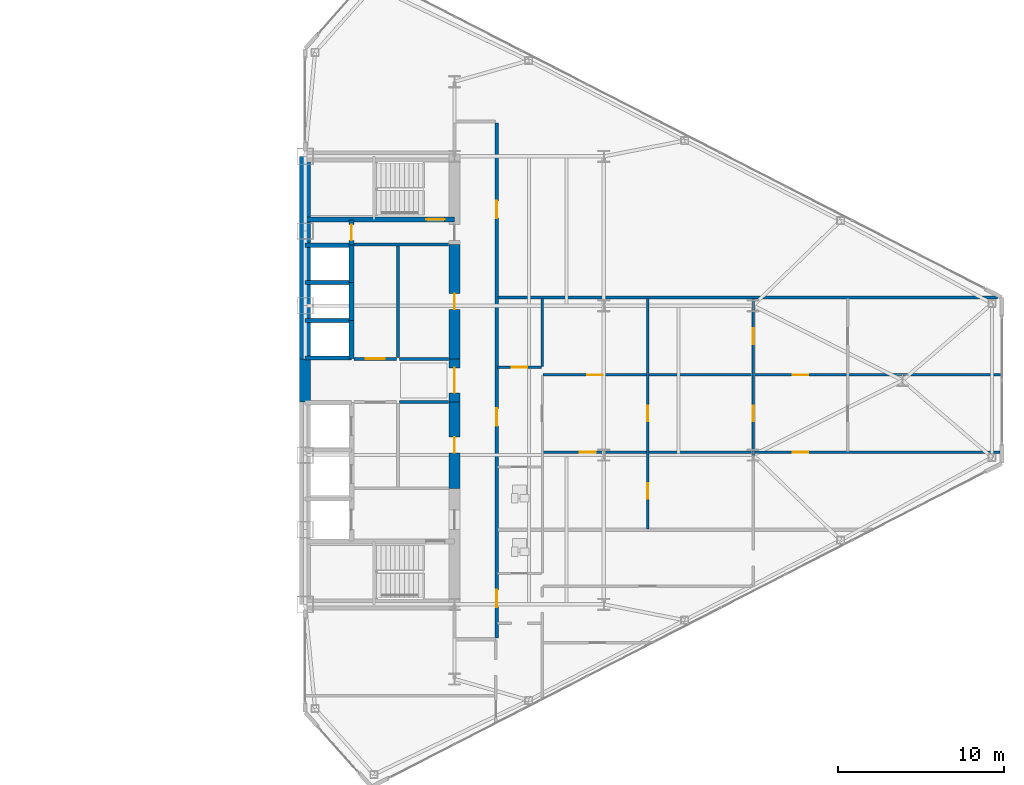
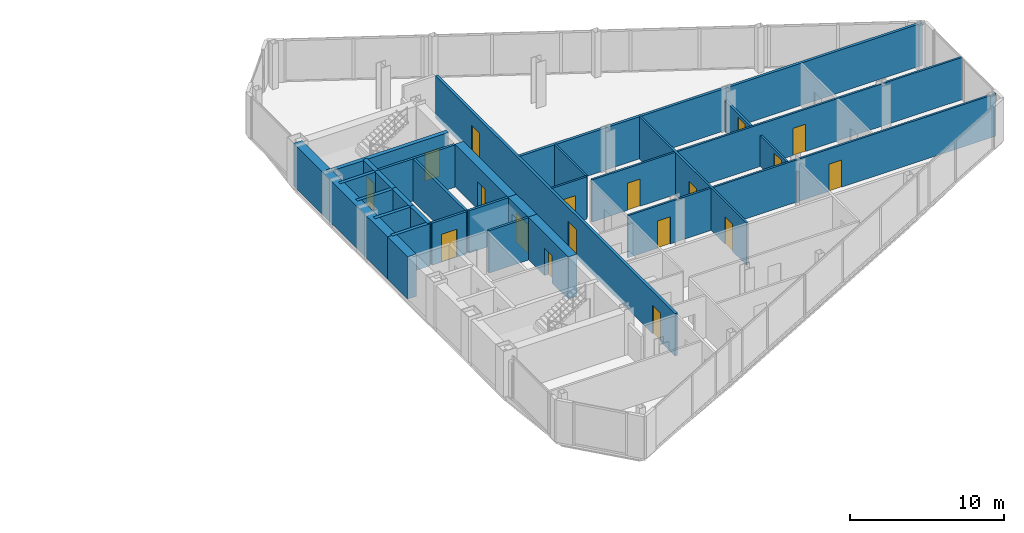
# One storey, part 19 of 23: 27 walls, 18 doors, 18 openings.
"""IFC4 building model written with IfcOpenShell, lengths in metres."""

import ifcopenshell
import ifcopenshell.guid

model = None  # the IFC model being written
_history = None  # IfcOwnerHistory: only IFC2X3 demands one
_inside = {}  # id of a spatial element -> (the spatial element, [elements in it])
_under = {}  # id of a project, library or spatial element -> (it, [spatial elements below it])
_declared = {}  # id of a project -> (the project, [libraries it declares])
_typed = {}  # id of a type object -> (the type object, [elements of that type])
_made_of = {}  # id of a material, layer set ... -> (it, [elements and type objects made of it])


def new_model(schema):
    """Start an empty IFC model of exactly this schema.

    Asked for "IFC4X3", IfcOpenShell would pick the latest addendum, in which some entities
    have other attributes; the version numbers below select the first issue.
    IFC2X3 requires an IfcOwnerHistory on every rooted entity: one is made here for all.
    """
    global model, _history
    if schema == "IFC4X3":
        model = ifcopenshell.file(schema_version=(4, 3, 0, 0))
    else:
        model = ifcopenshell.file(schema=schema)
    _inside.clear()
    _under.clear()
    _declared.clear()
    _typed.clear()
    _made_of.clear()
    _history = None
    if model.schema == "IFC2X3":
        org = make("IfcOrganization", Name="unknown")
        user = make(
            "IfcPersonAndOrganization",
            ThePerson=make("IfcPerson", FamilyName="unknown"),
            TheOrganization=org,
        )
        app = make(
            "IfcApplication",
            ApplicationDeveloper=org,
            Version="unknown",
            ApplicationFullName="unknown",
            ApplicationIdentifier="unknown",
        )
        _history = make(
            "IfcOwnerHistory",
            OwningUser=user,
            OwningApplication=app,
            ChangeAction="ADDED",
            CreationDate=0,
        )
    return model


def make(cls, **values):
    """One entity of the class cls with the attributes given. An attribute that is None is left unset."""
    return model.create_entity(
        cls, **{name: value for name, value in values.items() if value is not None}
    )


def rooted(cls, **values):
    """An entity with a GlobalId (a new one), such as an element, a storey or a relation."""
    return make(cls, GlobalId=ifcopenshell.guid.new(), OwnerHistory=_history, **values)


def si_unit(unit_type, name, prefix=None):
    """IfcSIUnit, for example si_unit("LENGTHUNIT", "METRE", prefix="MILLI")."""
    return make("IfcSIUnit", UnitType=unit_type, Prefix=prefix, Name=name)


def assignment(units):
    """IfcUnitAssignment: the units of a project."""
    return None if units is None else make("IfcUnitAssignment", Units=units)


def point(xyz):
    """IfcCartesianPoint."""
    return None if xyz is None else make("IfcCartesianPoint", Coordinates=xyz)


def direction(xyz):
    """IfcDirection."""
    return None if xyz is None else make("IfcDirection", DirectionRatios=xyz)


def frame(location, z_axis=None, x_axis=None):
    """IfcAxis2Placement3D, a coordinate frame: its origin and axes. An axis left out is left unset."""
    return make(
        "IfcAxis2Placement3D",
        Location=point(location),
        Axis=direction(z_axis),
        RefDirection=direction(x_axis),
    )


def frame_2d(location, x_axis=None):
    """IfcAxis2Placement2D, a coordinate frame in the plane: its origin and x axis."""
    return make(
        "IfcAxis2Placement2D", Location=point(location), RefDirection=direction(x_axis)
    )


def origin():
    """The frame at (0, 0, 0) with its axes left unset."""
    return frame((0.0, 0.0, 0.0))


def place(relative_to, where):
    """IfcLocalPlacement: puts the frame where relative to a parent placement (None: the world)."""
    return make(
        "IfcLocalPlacement", PlacementRelTo=relative_to, RelativePlacement=where
    )


def context(
    kind, dimensions, precision=None, world=None, true_north=None, identifier=None
):
    """IfcGeometricRepresentationContext, for example the 3D "Model" context."""
    return make(
        "IfcGeometricRepresentationContext",
        ContextIdentifier=identifier,
        ContextType=kind,
        CoordinateSpaceDimension=dimensions,
        Precision=precision,
        WorldCoordinateSystem=world,
        TrueNorth=true_north,
    )


def subcontext(parent, identifier, kind, view, scale=None):
    """IfcGeometricRepresentationSubContext, for example "Body" below "Model"."""
    return make(
        "IfcGeometricRepresentationSubContext",
        ContextIdentifier=identifier,
        ContextType=kind,
        ParentContext=parent,
        TargetScale=scale,
        TargetView=view,
    )


def project(units=None, contexts=None):
    """IfcProject with its units and contexts."""
    return rooted(
        "IfcProject",
        Name="project",
        RepresentationContexts=contexts,
        UnitsInContext=assignment(units),
    )


def spatial(cls, under=None, at=None, **own):
    """A site, building, storey or space (cls), placed at a placement, below another one or the project."""
    s = rooted(cls, ObjectPlacement=at, **own)
    if under is not None:
        _under.setdefault(under.id(), (under, []))[1].append(s)
    return s


def profile(cls, at=None, kind="AREA", **sizes):
    """A parametric profile (cls). Its sizes go by their IFC names, for example OverallWidth=200.0."""
    return make(cls, ProfileType=kind, Position=at, **sizes)


def rectangle(**sizes):
    """IfcRectangleProfileDef."""
    return profile("IfcRectangleProfileDef", **sizes)


def extrude(swept, where, along, depth):
    """IfcExtrudedAreaSolid: the profile swept, set in the frame where, extruded along a direction by depth."""
    return make(
        "IfcExtrudedAreaSolid",
        SweptArea=swept,
        Position=where,
        ExtrudedDirection=direction(along),
        Depth=depth,
    )


def shape(context_of_items, identifier, shape_type, items):
    """IfcShapeRepresentation: the items that make up one representation, for example the "Body"."""
    return make(
        "IfcShapeRepresentation",
        ContextOfItems=context_of_items,
        RepresentationIdentifier=identifier,
        RepresentationType=shape_type,
        Items=items,
    )


def source(mapping_origin, context_of_items, identifier, shape_type, items):
    """IfcRepresentationMap: a shape defined once, which mapped items show again and again."""
    return make(
        "IfcRepresentationMap",
        MappingOrigin=mapping_origin,
        MappedRepresentation=shape(context_of_items, identifier, shape_type, items),
    )


def transform(
    local_origin,
    x_axis=None,
    y_axis=None,
    z_axis=None,
    scale=None,
    scale2=None,
    scale3=None,
    uniform=True,
):
    """IfcCartesianTransformationOperator3D, or its non-uniform kind. x_axis, y_axis, z_axis: its Axis1, 2, 3."""
    if uniform:
        return make(
            "IfcCartesianTransformationOperator3D",
            Axis1=direction(x_axis),
            Axis2=direction(y_axis),
            LocalOrigin=point(local_origin),
            Scale=scale,
            Axis3=direction(z_axis),
        )
    return make(
        "IfcCartesianTransformationOperator3DnonUniform",
        Axis1=direction(x_axis),
        Axis2=direction(y_axis),
        LocalOrigin=point(local_origin),
        Scale=scale,
        Axis3=direction(z_axis),
        Scale2=scale2,
        Scale3=scale3,
    )


def mapped(mapping_source, mapping_target):
    """IfcMappedItem: shows the shape of a source again, moved by a transform."""
    return make(
        "IfcMappedItem", MappingSource=mapping_source, MappingTarget=mapping_target
    )


def material(Name=None, Category=None):
    """IfcMaterial."""
    return make("IfcMaterial", Name=Name, Category=Category)


def layer(
    of_material, thickness, ventilated=None, Name=None, Category=None, Priority=None
):
    """IfcMaterialLayer: one layer of a wall or slab, of a material (None: an air gap)."""
    return make(
        "IfcMaterialLayer",
        Material=of_material,
        LayerThickness=thickness,
        IsVentilated=ventilated,
        Name=Name,
        Category=Category,
        Priority=Priority,
    )


def layer_set(layers, Name=None):
    """IfcMaterialLayerSet."""
    return make("IfcMaterialLayerSet", MaterialLayers=layers, LayerSetName=Name)


def made_of(thing, what):
    """Note that an element or type object is made of a material, layer set ...; save() writes the relation."""
    if what is not None:
        _made_of.setdefault(what.id(), (what, []))[1].append(thing)
    return thing


def type_object(cls, material=None, **own):
    """A type object (cls), such as IfcWallType, which elements share."""
    return made_of(rooted(cls, **own), material)


def type_shapes(of_type, sources):
    """Give a type object the sources (RepresentationMaps) that its elements show as mapped items."""
    of_type.RepresentationMaps = sources


def element(
    cls,
    number,
    at=None,
    inside=None,
    cuts=None,
    type_object=None,
    material=None,
    context=None,
    identifier="Body",
    shape_type=None,
    held_by="IfcProductDefinitionShape",
    body=None,
    shapes=None,
    **own,
):
    """One element of the class cls, such as IfcWall. Its Tag is "e" and its number.

    at: its placement. inside: the storey or other place that contains it. cuts: it is an
    opening in that element (IfcRelVoidsElement). A single representation is given by context,
    identifier, shape_type and body (its items); several are given by shapes. held_by: the class
    of the entity that holds the representations. save() writes the other relations.
    """
    e = rooted(cls, Tag="e%d" % number, ObjectPlacement=at, **own)
    if body is not None:
        shapes = [shape(context, identifier, shape_type, body)]
    if shapes is not None:
        e.Representation = make(held_by, Representations=shapes)
    if inside is not None:
        _inside.setdefault(inside.id(), (inside, []))[1].append(e)
    if cuts is not None:
        rooted(
            "IfcRelVoidsElement", RelatingBuildingElement=cuts, RelatedOpeningElement=e
        )
    if type_object is not None:
        _typed.setdefault(type_object.id(), (type_object, []))[1].append(e)
    return made_of(e, material)


def fill(opening, filler):
    """IfcRelFillsElement: the door or window that sits in an opening."""
    return rooted(
        "IfcRelFillsElement",
        RelatingOpeningElement=opening,
        RelatedBuildingElement=filler,
    )


def aggregate(whole, parts):
    """IfcRelAggregates: a whole, such as a stair, and the parts it consists of."""
    return rooted("IfcRelAggregates", RelatingObject=whole, RelatedObjects=parts)


def save(model, path):
    """Write the relations noted so far, then the file.

    IfcRelAggregates (storeys below a building ...), IfcRelContainedInSpatialStructure (elements
    in a storey), IfcRelDefinesByType, IfcRelAssociatesMaterial and IfcRelDeclares: one each for
    every whole, place, type object, material and project.
    """
    for whole, parts in _under.values():
        aggregate(whole, parts)
    for where, things in _inside.values():
        rooted(
            "IfcRelContainedInSpatialStructure",
            RelatedElements=things,
            RelatingStructure=where,
        )
    for kind, things in _typed.values():
        rooted("IfcRelDefinesByType", RelatedObjects=things, RelatingType=kind)
    for what, things in _made_of.values():
        rooted("IfcRelAssociatesMaterial", RelatedObjects=things, RelatingMaterial=what)
    for by, libraries in _declared.values():
        rooted("IfcRelDeclares", RelatingContext=by, RelatedDefinitions=libraries)
    model.write(path)


model = new_model("IFC4")

# Units and contexts
model_context = context("Model", 3, precision=1e-05, world=origin(), true_north=direction((0.0, 1.0)))
body_context = subcontext(model_context, "Body", "Model", "MODEL_VIEW")
ifc_project = project(units=[si_unit("LENGTHUNIT", "METRE"), si_unit("AREAUNIT", "SQUARE_METRE"), si_unit("VOLUMEUNIT", "CUBIC_METRE"), si_unit("PLANEANGLEUNIT", "RADIAN"), si_unit("MASSUNIT", "GRAM", prefix="KILO")], contexts=[model_context])

# Site, building, storey
site_placement = place(None, origin())
site = spatial("IfcSite", under=ifc_project, at=site_placement, CompositionType="ELEMENT")
building_placement = place(site_placement, origin())
building = spatial("IfcBuilding", under=site, at=building_placement, Name="Seokmaru Belvedere", CompositionType="ELEMENT")
storey_placement = place(building_placement, frame((0.0, 0.0, 132.0)))
storey = spatial("IfcBuildingStorey", under=building, at=storey_placement, Name="L35", CompositionType="ELEMENT", Elevation=132.0)

# Wall, openings, doors
ifc_material_1 = material(Name="Fire-Rated Gypsum Shaftwall")
ifc_layer_1 = layer(ifc_material_1, 0.14990234375)
ifc_layer_set_1 = layer_set([ifc_layer_1], Name="Fire-Rated Gypsum Shaftwall")
wall_type_1 = type_object("IfcWallType", Name="Apartment Fire-Acoustic Room Partition 150", PredefinedType="PARTITIONING", material=ifc_layer_set_1)
wall_1_placement = place(storey_placement, frame((41.85009765625, -4.330078125, 0.0), z_axis=(0.0, 0.0, 1.0), x_axis=(1.0, 0.0, 0.0)))
wall_1 = element("IfcWall", 1, at=wall_1_placement, inside=storey, type_object=wall_type_1, Name="L35 Interior Partition 012", PredefinedType="PARTITIONING", context=body_context, shape_type="SweptSolid", body=[
    extrude(rectangle(XDim=27.52490234375, YDim=0.14990234375, at=frame_2d((13.762451171875, 0.0))), origin(), (0.0, 0.0, 1.0), 3.340087890625),
])
opening_1_placement = place(wall_1_placement, frame((2.213623046875, 0.0, 0.0)))
opening_1 = element("IfcOpeningElement", 2, at=opening_1_placement, cuts=wall_1, Name="Opening D05", PredefinedType="OPENING", context=body_context, shape_type="SweptSolid", body=[
    extrude(rectangle(XDim=0.949951171875, YDim=2.14990234375, at=frame_2d((0.47509765625, 1.074951171875))), frame((0.0, 0.0849609375, 0.0), z_axis=(0.0, -1.0, 0.0), x_axis=(1.0, 0.0, 0.0)), (0.0, 0.0, 1.0), 0.169921875),
])
opening_2_placement = place(wall_1_placement, frame((15.02490234375, 0.0, 0.0)))
opening_2 = element("IfcOpeningElement", 3, at=opening_2_placement, cuts=wall_1, Name="Opening D05", PredefinedType="OPENING", context=body_context, shape_type="SweptSolid", body=[
    extrude(rectangle(XDim=0.949951171875, YDim=2.14990234375, at=frame_2d((0.47509765625, 1.074951171875))), frame((0.0, 0.0849609375, 0.0), z_axis=(0.0, -1.0, 0.0), x_axis=(1.0, 0.0, 0.0)), (0.0, 0.0, 1.0), 0.169921875),
])
ifc_material_2 = material(Name="Engineered White Oak Timber", Category="wood")
door_type_1 = type_object("IfcDoorType", Name="Apartment Interior Fire-Rated Oak Door 950x2150", OperationType="NOTDEFINED", PredefinedType="DOOR", material=ifc_material_2)
shared_shape_1 = source(origin(), body_context, "Body", "SweptSolid", [
    extrude(rectangle(XDim=0.949951171875, YDim=2.14990234375, at=frame_2d((0.47509765625, 1.074951171875))), frame((0.0, 0.02490234375, 0.0), z_axis=(0.0, -1.0, 0.0), x_axis=(1.0, 0.0, 0.0)), (0.0, 0.0, 1.0), 0.050048828125),
])
type_shapes(door_type_1, [shared_shape_1])
door_1_placement = place(opening_1_placement, origin())
door_1 = element("IfcDoor", 4, at=door_1_placement, inside=storey, type_object=door_type_1, Name="L35 Interior Door 028", OperationType="SINGLE_SWING_LEFT", OverallHeight=2.14990234375, OverallWidth=0.949951171875, PredefinedType="DOOR", context=body_context, shape_type="MappedRepresentation", body=[
    mapped(shared_shape_1, transform((0.0, 0.0, 0.0), scale=1.0)),
])
fill(opening_1, door_1)
door_2_placement = place(opening_2_placement, origin())
door_2 = element("IfcDoor", 5, at=door_2_placement, inside=storey, type_object=door_type_1, Name="L35 Interior Door 032", OperationType="SINGLE_SWING_RIGHT", OverallHeight=2.14990234375, OverallWidth=0.949951171875, PredefinedType="DOOR", context=body_context, shape_type="MappedRepresentation", body=[
    mapped(shared_shape_1, transform((0.0, 0.0, 0.0), scale=1.0)),
])
fill(opening_2, door_2)

wall_2_placement = place(storey_placement, frame((41.85009765625, 0.330078125, 0.0), z_axis=(0.0, 0.0, 1.0), x_axis=(1.0, 0.0, 0.0)))
wall_2 = element("IfcWall", 6, at=wall_2_placement, inside=storey, type_object=wall_type_1, Name="L35 Interior Partition 014", PredefinedType="PARTITIONING", context=body_context, shape_type="SweptSolid", body=[
    extrude(rectangle(XDim=27.684814453125, YDim=0.14990234375, at=frame_2d((13.84228515625, 0.0))), origin(), (0.0, 0.0, 1.0), 3.340087890625),
])
opening_3_placement = place(wall_2_placement, frame((2.64990234375, 0.0, 0.0)))
opening_3 = element("IfcOpeningElement", 7, at=opening_3_placement, cuts=wall_2, Name="Opening D05", PredefinedType="OPENING", context=body_context, shape_type="SweptSolid", body=[
    extrude(rectangle(XDim=0.949951171875, YDim=2.14990234375, at=frame_2d((0.47509765625, 1.074951171875))), frame((0.0, 0.0849609375, 0.0), z_axis=(0.0, -1.0, 0.0), x_axis=(1.0, 0.0, 0.0)), (0.0, 0.0, 1.0), 0.169921875),
])
opening_4_placement = place(wall_2_placement, frame((15.02490234375, 0.0, 0.0)))
opening_4 = element("IfcOpeningElement", 8, at=opening_4_placement, cuts=wall_2, Name="Opening D05", PredefinedType="OPENING", context=body_context, shape_type="SweptSolid", body=[
    extrude(rectangle(XDim=0.949951171875, YDim=2.14990234375, at=frame_2d((0.47509765625, 1.074951171875))), frame((0.0, 0.0849609375, 0.0), z_axis=(0.0, -1.0, 0.0), x_axis=(1.0, 0.0, 0.0)), (0.0, 0.0, 1.0), 0.169921875),
])
door_3_placement = place(opening_3_placement, origin())
door_3 = element("IfcDoor", 9, at=door_3_placement, inside=storey, type_object=door_type_1, Name="L35 Interior Door 030", OperationType="SINGLE_SWING_RIGHT", OverallHeight=2.14990234375, OverallWidth=0.949951171875, PredefinedType="DOOR", context=body_context, shape_type="MappedRepresentation", body=[
    mapped(shared_shape_1, transform((0.0, 0.0, 0.0), scale=1.0)),
])
fill(opening_3, door_3)
door_4_placement = place(opening_4_placement, origin())
door_4 = element("IfcDoor", 10, at=door_4_placement, inside=storey, type_object=door_type_1, Name="L35 Interior Door 034", OperationType="SINGLE_SWING_RIGHT", OverallHeight=2.14990234375, OverallWidth=0.949951171875, PredefinedType="DOOR", context=body_context, shape_type="MappedRepresentation", body=[
    mapped(shared_shape_1, transform((0.0, 0.0, 0.0), scale=1.0)),
])
fill(opening_4, door_4)

# Wall, opening, door
wall_3_placement = place(storey_placement, frame((39.10009765625, 0.800048828125, 0.0), z_axis=(0.0, 0.0, 1.0), x_axis=(1.0, 0.0, 0.0)))
wall_3 = element("IfcWall", 11, at=wall_3_placement, inside=storey, type_object=wall_type_1, Name="L35 Interior Partition 015", PredefinedType="PARTITIONING", context=body_context, shape_type="SweptSolid", body=[
    extrude(rectangle(XDim=2.64990234375, YDim=0.14990234375, at=frame_2d((1.324951171875, 0.0))), origin(), (0.0, 0.0, 1.0), 3.340087890625),
])
opening_5_placement = place(wall_3_placement, frame((0.85009765625, 0.0, 0.0)))
opening_5 = element("IfcOpeningElement", 12, at=opening_5_placement, cuts=wall_3, Name="Opening D05", PredefinedType="OPENING", context=body_context, shape_type="SweptSolid", body=[
    extrude(rectangle(XDim=0.949951171875, YDim=2.14990234375, at=frame_2d((0.47509765625, 1.074951171875))), frame((0.0, 0.0849609375, 0.0), z_axis=(0.0, -1.0, 0.0), x_axis=(1.0, 0.0, 0.0)), (0.0, 0.0, 1.0), 0.169921875),
])
door_5_placement = place(opening_5_placement, origin())
door_5 = element("IfcDoor", 13, at=door_5_placement, inside=storey, type_object=door_type_1, Name="L35 Interior Door 026", OperationType="SINGLE_SWING_RIGHT", OverallHeight=2.14990234375, OverallWidth=0.949951171875, PredefinedType="DOOR", context=body_context, shape_type="MappedRepresentation", body=[
    mapped(shared_shape_1, transform((0.0, 0.0, 0.0), scale=1.0)),
])
fill(opening_5, door_5)

# Wall
wall_4_placement = place(storey_placement, frame((41.800048828125, 0.85205078125, 0.0), z_axis=(0.0, 0.0, 1.0), x_axis=(0.0, 1.0, 0.0)))
element("IfcWall", 14, at=wall_4_placement, inside=storey, type_object=wall_type_1, Name="L35 Interior Partition 035", PredefinedType="PARTITIONING", context=body_context, shape_type="SweptSolid", body=[
    extrude(rectangle(XDim=4.097900390625, YDim=0.14990234375, at=frame_2d((2.048828125, 0.0))), origin(), (0.0, 0.0, 1.0), 3.340087890625),
])

# Wall, openings, doors
wall_5_placement = place(storey_placement, frame((48.14990234375, -8.949951171875, 0.0), z_axis=(0.0, 0.0, 1.0), x_axis=(0.0, 1.0, 0.0)))
wall_5 = element("IfcWall", 15, at=wall_5_placement, inside=storey, type_object=wall_type_1, Name="L35 Interior Partition 036", PredefinedType="PARTITIONING", context=body_context, shape_type="SweptSolid", body=[
    extrude(rectangle(XDim=13.89990234375, YDim=0.14990234375, at=frame_2d((6.949951171875, 0.0))), origin(), (0.0, 0.0, 1.0), 3.340087890625),
])
opening_6_placement = place(wall_5_placement, frame((6.47509765625, 0.0, 0.0)))
opening_6 = element("IfcOpeningElement", 16, at=opening_6_placement, cuts=wall_5, Name="Opening D05", PredefinedType="OPENING", context=body_context, shape_type="SweptSolid", body=[
    extrude(rectangle(XDim=0.949951171875, YDim=2.14990234375, at=frame_2d((0.47509765625, 1.074951171875))), frame((0.0, 0.0849609375, 0.0), z_axis=(0.0, -1.0, 0.0), x_axis=(1.0, 0.0, 0.0)), (0.0, 0.0, 1.0), 0.169921875),
])
opening_7_placement = place(wall_5_placement, frame((1.808349609375, 0.0, 0.0)))
opening_7 = element("IfcOpeningElement", 17, at=opening_7_placement, cuts=wall_5, Name="Opening D05", PredefinedType="OPENING", context=body_context, shape_type="SweptSolid", body=[
    extrude(rectangle(XDim=0.949951171875, YDim=2.14990234375, at=frame_2d((0.47509765625, 1.074951171875))), frame((0.0, 0.0849609375, 0.0), z_axis=(0.0, -1.0, 0.0), x_axis=(1.0, 0.0, 0.0)), (0.0, 0.0, 1.0), 0.169921875),
])
door_6_placement = place(opening_6_placement, origin())
door_6 = element("IfcDoor", 18, at=door_6_placement, inside=storey, type_object=door_type_1, Name="L35 Interior Door 029", OperationType="SINGLE_SWING_RIGHT", OverallHeight=2.14990234375, OverallWidth=0.949951171875, PredefinedType="DOOR", context=body_context, shape_type="MappedRepresentation", body=[
    mapped(shared_shape_1, transform((0.0, 0.0, 0.0), scale=1.0)),
])
fill(opening_6, door_6)
door_7_placement = place(opening_7_placement, origin())
door_7 = element("IfcDoor", 19, at=door_7_placement, inside=storey, type_object=door_type_1, Name="L35 Interior Door 036", OperationType="SINGLE_SWING_LEFT", OverallHeight=2.14990234375, OverallWidth=0.949951171875, PredefinedType="DOOR", context=body_context, shape_type="MappedRepresentation", body=[
    mapped(shared_shape_1, transform((0.0, 0.0, 0.0), scale=1.0)),
])
fill(opening_7, door_7)

wall_6_placement = place(storey_placement, frame((54.5, -4.52001953125, 0.0), z_axis=(0.0, 0.0, 1.0), x_axis=(0.0, 1.0, 0.0)))
wall_6 = element("IfcWall", 20, at=wall_6_placement, inside=storey, type_object=wall_type_1, Name="L35 Interior Partition 037 Part 2", PredefinedType="PARTITIONING", context=body_context, shape_type="SweptSolid", body=[
    extrude(rectangle(XDim=9.469970703125, YDim=0.14990234375, at=frame_2d((4.73486328125, 0.0))), origin(), (0.0, 0.0, 1.0), 2.43994140625),
])
opening_8_placement = place(wall_6_placement, frame((2.044921875, 0.0, 0.0)))
opening_8 = element("IfcOpeningElement", 21, at=opening_8_placement, cuts=wall_6, Name="Opening D05", PredefinedType="OPENING", context=body_context, shape_type="SweptSolid", body=[
    extrude(rectangle(XDim=0.949951171875, YDim=2.14990234375, at=frame_2d((0.47509765625, 1.074951171875))), frame((0.0, 0.0849609375, 0.0), z_axis=(0.0, -1.0, 0.0), x_axis=(1.0, 0.0, 0.0)), (0.0, 0.0, 1.0), 0.169921875),
])
opening_9_placement = place(wall_6_placement, frame((6.711669921875, 0.0, 0.0)))
opening_9 = element("IfcOpeningElement", 22, at=opening_9_placement, cuts=wall_6, Name="Opening D05", PredefinedType="OPENING", context=body_context, shape_type="SweptSolid", body=[
    extrude(rectangle(XDim=0.949951171875, YDim=2.14990234375, at=frame_2d((0.47509765625, 1.074951171875))), frame((0.0, 0.0849609375, 0.0), z_axis=(0.0, -1.0, 0.0), x_axis=(1.0, 0.0, 0.0)), (0.0, 0.0, 1.0), 0.169921875),
])
door_8_placement = place(opening_8_placement, origin())
door_8 = element("IfcDoor", 23, at=door_8_placement, inside=storey, type_object=door_type_1, Name="L35 Interior Door 031", OperationType="SINGLE_SWING_LEFT", OverallHeight=2.14990234375, OverallWidth=0.949951171875, PredefinedType="DOOR", context=body_context, shape_type="MappedRepresentation", body=[
    mapped(shared_shape_1, transform((0.0, 0.0, 0.0), scale=1.0)),
])
fill(opening_8, door_8)
door_9_placement = place(opening_9_placement, origin())
door_9 = element("IfcDoor", 24, at=door_9_placement, inside=storey, type_object=door_type_1, Name="L35 Interior Door 037", OperationType="SINGLE_SWING_RIGHT", OverallHeight=2.14990234375, OverallWidth=0.949951171875, PredefinedType="DOOR", context=body_context, shape_type="MappedRepresentation", body=[
    mapped(shared_shape_1, transform((0.0, 0.0, 0.0), scale=1.0)),
])
fill(opening_9, door_9)

# Walls
ifc_layer_2 = layer(ifc_material_1, 0.179931640625)
ifc_layer_set_2 = layer_set([ifc_layer_2], Name="Fire-Rated Gypsum Shaftwall")
wall_type_2 = type_object("IfcWallType", Name="Core Service Fire Partition 180", PredefinedType="PARTITIONING", material=ifc_layer_set_2)
wall_7_placement = place(storey_placement, frame((30.449951171875, 8.199951171875, 0.0), z_axis=(0.0, 0.0, 1.0), x_axis=(1.0, 0.0, 0.0)))
element("IfcWall", 25, at=wall_7_placement, inside=storey, type_object=wall_type_2, Name="L35 East Smokeproof Vestibule Partition", PredefinedType="PARTITIONING", context=body_context, shape_type="SweptSolid", body=[
    extrude(rectangle(XDim=5.699951171875, YDim=0.179931640625, at=frame_2d((2.85009765625, 0.0))), origin(), (0.0, 0.0, 1.0), 3.340087890625),
])
wall_8_placement = place(storey_placement, frame((33.10009765625, 1.3798828125, 0.0), z_axis=(0.0, 0.0, 1.0), x_axis=(0.0, 1.0, 0.0)))
element("IfcWall", 26, at=wall_8_placement, inside=storey, type_object=wall_type_2, Name="L35 East North Core Service Back Wall", PredefinedType="PARTITIONING", context=body_context, shape_type="SweptSolid", body=[
    extrude(rectangle(XDim=6.740234375, YDim=0.179931640625, at=frame_2d((3.3701171875, 0.0))), origin(), (0.0, 0.0, 1.0), 3.340087890625),
])

# Wall, opening, door
wall_9_placement = place(storey_placement, frame((30.449951171875, 1.300048828125, 0.0), z_axis=(0.0, 0.0, 1.0), x_axis=(1.0, 0.0, 0.0)))
wall_9 = element("IfcWall", 27, at=wall_9_placement, inside=storey, type_object=wall_type_2, Name="L35 East North Lift Lobby Foyer Wall", PredefinedType="PARTITIONING", context=body_context, shape_type="SweptSolid", body=[
    extrude(rectangle(XDim=2.570068359375, YDim=0.179931640625, at=frame_2d((1.28515625, 0.0))), origin(), (0.0, 0.0, 1.0), 3.340087890625),
])
opening_10_placement = place(wall_9_placement, frame((0.7099609375, 0.0, 0.0)))
opening_10 = element("IfcOpeningElement", 28, at=opening_10_placement, cuts=wall_9, Name="Opening D02", PredefinedType="OPENING", context=body_context, shape_type="SweptSolid", body=[
    extrude(rectangle(XDim=1.14990234375, YDim=2.199951171875, at=frame_2d((0.574951171875, 1.10009765625))), frame((0.0, 0.10009765625, 0.0), z_axis=(0.0, -1.0, 0.0), x_axis=(1.0, 0.0, 0.0)), (0.0, 0.0, 1.0), 0.199951171875),
])
ifc_material_3 = material(Name="Fire-Rated Steel Leaf", Category="steel")
door_type_2 = type_object("IfcDoorType", Name="Lobby and Vestibule Fire Door 1150x2200", OperationType="NOTDEFINED", PredefinedType="DOOR", material=ifc_material_3)
shared_shape_2 = source(origin(), body_context, "Body", "SweptSolid", [
    extrude(rectangle(XDim=1.14990234375, YDim=2.199951171875, at=frame_2d((0.574951171875, 1.10009765625))), frame((0.0, 0.02490234375, 0.0), z_axis=(0.0, -1.0, 0.0), x_axis=(1.0, 0.0, 0.0)), (0.0, 0.0, 1.0), 0.050048828125),
])
type_shapes(door_type_2, [shared_shape_2])
door_10_placement = place(opening_10_placement, origin())
door_10 = element("IfcDoor", 29, at=door_10_placement, inside=storey, type_object=door_type_2, Name="L35 East North Lift Lobby Door", OperationType="SINGLE_SWING_LEFT", OverallHeight=2.199951171875, OverallWidth=1.14990234375, PredefinedType="DOOR", context=body_context, shape_type="MappedRepresentation", body=[
    mapped(shared_shape_2, transform((0.0, 0.0, 0.0), scale=1.0)),
])
fill(opening_10, door_10)

# Walls
for number, where, z_axis, x_axis, name in (
    (30, (33.199951171875, -1.300048828125, 0.0), (0.0, 0.0, 1.0), (1.0, 0.0, 0.0), "L35 East Foyer Side Wall S"),
    (31, (33.199951171875, 1.300048828125, 0.0), (0.0, 0.0, 1.0), (1.0, 0.0, 0.0), "L35 East Foyer Side Wall N"),
):
    element("IfcWall", number, at=place(storey_placement, frame(where, z_axis=z_axis, x_axis=x_axis)), inside=storey, type_object=wall_type_2, Name=name, PredefinedType="PARTITIONING", context=body_context, shape_type="SweptSolid", body=[
        extrude(rectangle(XDim=2.949951171875, YDim=0.179931640625, at=frame_2d((1.47509765625, 0.0))), origin(), (0.0, 0.0, 1.0), 3.340087890625),
    ])
ifc_material_4 = material(Name="Concrete C50 (50 MPa)", Category="concrete")
ifc_layer_3 = layer(ifc_material_4, 0.25)
ifc_layer_set_3 = layer_set([ifc_layer_3], Name="Concrete C50 (50 MPa)")
wall_type_3 = type_object("IfcWallType", Name="Hoistway Transverse Concrete Divider Wall 250", PredefinedType="SHEAR", material=ifc_layer_set_3)
for number, where, z_axis, x_axis, name in (
    (32, (27.5, 1.35009765625, 0.0), (0.0, 0.0, 1.0), (1.0, 0.0, 0.0), "L35 East Hoistway Divider Core Wall 4"),
    (33, (27.5, 3.60009765625, 0.0), (0.0, 0.0, 1.0), (1.0, 0.0, 0.0), "L35 East Hoistway Divider Core Wall 5"),
    (34, (27.5, 5.89990234375, 0.0), (0.0, 0.0, 1.0), (1.0, 0.0, 0.0), "L35 East Hoistway Divider Core Wall 6"),
    (35, (27.5, 8.14990234375, 0.0), (0.0, 0.0, 1.0), (1.0, 0.0, 0.0), "L35 East Hoistway Divider Core Wall 7"),
):
    element("IfcWall", number, at=place(storey_placement, frame(where, z_axis=z_axis, x_axis=x_axis)), inside=storey, type_object=wall_type_3, Name=name, PredefinedType="SHEAR", context=body_context, shape_type="SweptSolid", body=[
        extrude(rectangle(XDim=2.800048828125, YDim=0.25, at=frame_2d((1.39990234375, 0.0))), origin(), (0.0, 0.0, 1.0), 3.340087890625),
    ])
ifc_layer_4 = layer(ifc_material_1, 0.199951171875)
ifc_layer_set_4 = layer_set([ifc_layer_4], Name="Fire-Rated Gypsum Shaftwall")
wall_type_4 = type_object("IfcWallType", Name="Inter-Tenancy Fire Compartment Partition 200", PredefinedType="PARTITIONING", material=ifc_layer_set_4)
wall_10_placement = place(storey_placement, frame((39.1298828125, 5.0, 0.0), z_axis=(0.0, 0.0, 1.0), x_axis=(1.0, 0.0, 0.0)))
element("IfcWall", 36, at=wall_10_placement, inside=storey, type_object=wall_type_4, Name="L35 Interior Partition 018", PredefinedType="PARTITIONING", context=body_context, shape_type="SweptSolid", body=[
    extrude(rectangle(XDim=30.096435546875, YDim=0.199951171875, at=frame_2d((15.04833984375, 0.0))), origin(), (0.0, 0.0, 1.0), 3.340087890625),
])

# Wall, openings, doors
wall_11_placement = place(storey_placement, frame((39.050048828125, -15.514892578125, 0.0), z_axis=(0.0, 0.0, 1.0), x_axis=(0.0, 1.0, 0.0)))
wall_11 = element("IfcWall", 37, at=wall_11_placement, inside=storey, type_object=wall_type_4, Name="L35 Interior Partition 032", PredefinedType="PARTITIONING", context=body_context, shape_type="SweptSolid", body=[
    extrude(rectangle(XDim=31.02978515625, YDim=0.199951171875, at=frame_2d((15.514892578125, 0.0))), origin(), (0.0, 0.0, 1.0), 3.340087890625),
])
opening_11_placement = place(wall_11_placement, frame((1.844970703125, 0.0, 0.0)))
opening_11 = element("IfcOpeningElement", 38, at=opening_11_placement, cuts=wall_11, Name="Opening D03", PredefinedType="OPENING", context=body_context, shape_type="SweptSolid", body=[
    extrude(rectangle(XDim=1.050048828125, YDim=2.25, at=frame_2d((0.52490234375, 1.125))), frame((0.0, 0.10986328125, 0.0), z_axis=(0.0, -1.0, 0.0), x_axis=(1.0, 0.0, 0.0)), (0.0, 0.0, 1.0), 0.219970703125),
])
opening_12_placement = place(wall_11_placement, frame((12.780029296875, 0.0, 0.0)))
opening_12 = element("IfcOpeningElement", 39, at=opening_12_placement, cuts=wall_11, Name="Opening D03", PredefinedType="OPENING", context=body_context, shape_type="SweptSolid", body=[
    extrude(rectangle(XDim=1.050048828125, YDim=2.25, at=frame_2d((0.52490234375, 1.125))), frame((0.0, 0.10986328125, 0.0), z_axis=(0.0, -1.0, 0.0), x_axis=(1.0, 0.0, 0.0)), (0.0, 0.0, 1.0), 0.219970703125),
])
opening_13_placement = place(wall_11_placement, frame((25.2900390625, 0.0, 0.0)))
opening_13 = element("IfcOpeningElement", 40, at=opening_13_placement, cuts=wall_11, Name="Opening D03", PredefinedType="OPENING", context=body_context, shape_type="SweptSolid", body=[
    extrude(rectangle(XDim=1.050048828125, YDim=2.25, at=frame_2d((0.52490234375, 1.125))), frame((0.0, 0.10986328125, 0.0), z_axis=(0.0, -1.0, 0.0), x_axis=(1.0, 0.0, 0.0)), (0.0, 0.0, 1.0), 0.219970703125),
])
door_type_3 = type_object("IfcDoorType", Name="Apartment Entrance Fire Door 1050x2250", OperationType="NOTDEFINED", PredefinedType="DOOR", material=ifc_material_3)
shared_shape_3 = source(origin(), body_context, "Body", "SweptSolid", [
    extrude(rectangle(XDim=1.050048828125, YDim=2.25, at=frame_2d((0.52490234375, 1.125))), frame((0.0, 0.02490234375, 0.0), z_axis=(0.0, -1.0, 0.0), x_axis=(1.0, 0.0, 0.0)), (0.0, 0.0, 1.0), 0.050048828125),
])
type_shapes(door_type_3, [shared_shape_3])
door_11_placement = place(opening_11_placement, origin())
door_11 = element("IfcDoor", 41, at=door_11_placement, inside=storey, type_object=door_type_3, Name="L35 Interior Door 015", OperationType="SINGLE_SWING_LEFT", OverallHeight=2.25, OverallWidth=1.050048828125, PredefinedType="DOOR", context=body_context, shape_type="MappedRepresentation", body=[
    mapped(shared_shape_3, transform((0.0, 0.0, 0.0), scale=1.0)),
])
fill(opening_11, door_11)
door_12_placement = place(opening_12_placement, origin())
door_12 = element("IfcDoor", 42, at=door_12_placement, inside=storey, type_object=door_type_3, Name="L35 Interior Door 024", OperationType="SINGLE_SWING_RIGHT", OverallHeight=2.25, OverallWidth=1.050048828125, PredefinedType="DOOR", context=body_context, shape_type="MappedRepresentation", body=[
    mapped(shared_shape_3, transform((0.0, 0.0, 0.0), scale=1.0)),
])
fill(opening_12, door_12)
door_13_placement = place(opening_13_placement, origin())
door_13 = element("IfcDoor", 43, at=door_13_placement, inside=storey, type_object=door_type_3, Name="L35 Interior Door 038", OperationType="SINGLE_SWING_LEFT", OverallHeight=2.25, OverallWidth=1.050048828125, PredefinedType="DOOR", context=body_context, shape_type="MappedRepresentation", body=[
    mapped(shared_shape_3, transform((0.0, 0.0, 0.0), scale=1.0)),
])
fill(opening_13, door_13)

# Wall, opening, door
ifc_layer_5 = layer(ifc_material_4, 0.300048828125)
ifc_layer_set_5 = layer_set([ifc_layer_5], Name="Concrete C50 (50 MPa)")
wall_type_5 = type_object("IfcWallType", Name="Internal Core Stair and Hoistway Wall 300", PredefinedType="SHEAR", material=ifc_layer_set_5)
wall_12_placement = place(storey_placement, frame((27.5, 9.699951171875, 0.0), z_axis=(0.0, 0.0, 1.0), x_axis=(1.0, 0.0, 0.0)))
wall_12 = element("IfcWall", 44, at=wall_12_placement, inside=storey, type_object=wall_type_5, Name="L35 East Stair ST-2 Enclosure Wall", PredefinedType="SHEAR", context=body_context, shape_type="SweptSolid", body=[
    extrude(rectangle(XDim=9.0, YDim=0.300048828125, at=frame_2d((4.5, 0.0))), origin(), (0.0, 0.0, 1.0), 3.340087890625),
])
opening_14_placement = place(wall_12_placement, frame((7.300048828125, 0.0, 0.0)))
opening_14 = element("IfcOpeningElement", 45, at=opening_14_placement, cuts=wall_12, Name="Opening D01", PredefinedType="OPENING", context=body_context, shape_type="SweptSolid", body=[
    extrude(rectangle(XDim=1.10009765625, YDim=2.199951171875, at=frame_2d((0.550048828125, 1.10009765625))), frame((0.0, 0.16015625, 0.0), z_axis=(0.0, -1.0, 0.0), x_axis=(1.0, 0.0, 0.0)), (0.0, 0.0, 1.0), 0.320068359375),
])
door_type_4 = type_object("IfcDoorType", Name="Special Escape Stair Smokeproof Fire Door 1100x2200", OperationType="NOTDEFINED", PredefinedType="DOOR", material=ifc_material_3)
shared_shape_4 = source(origin(), body_context, "Body", "SweptSolid", [
    extrude(rectangle(XDim=1.10009765625, YDim=2.199951171875, at=frame_2d((0.550048828125, 1.10009765625))), frame((0.0, 0.02490234375, 0.0), z_axis=(0.0, -1.0, 0.0), x_axis=(1.0, 0.0, 0.0)), (0.0, 0.0, 1.0), 0.050048828125),
])
type_shapes(door_type_4, [shared_shape_4])
door_14_placement = place(opening_14_placement, origin())
door_14 = element("IfcDoor", 46, at=door_14_placement, inside=storey, type_object=door_type_4, Name="L35 East Special Escape Stair ST-2 Door", OperationType="SINGLE_SWING_LEFT", OverallHeight=2.199951171875, OverallWidth=1.10009765625, PredefinedType="DOOR", context=body_context, shape_type="MappedRepresentation", body=[
    mapped(shared_shape_4, transform((0.0, 0.0, 0.0), scale=1.0)),
])
fill(opening_14, door_14)

# Walls
wall_13_placement = place(storey_placement, frame((30.300048828125, 1.320068359375, 0.0), z_axis=(0.0, 0.0, 1.0), x_axis=(0.0, 1.0, 0.0)))
element("IfcWall", 47, at=wall_13_placement, inside=storey, type_object=wall_type_5, Name="L35 East North Hoistway Wall PH1", PredefinedType="SHEAR", context=body_context, shape_type="SweptSolid", body=[
    extrude(rectangle(XDim=2.280029296875, YDim=0.300048828125, at=frame_2d((1.14013671875, 0.0))), origin(), (0.0, 0.0, 1.0), 3.340087890625),
])
wall_14_placement = place(storey_placement, frame((30.300048828125, 3.60009765625, 0.0), z_axis=(0.0, 0.0, 1.0), x_axis=(0.0, 1.0, 0.0)))
element("IfcWall", 48, at=wall_14_placement, inside=storey, type_object=wall_type_5, Name="L35 East North Hoistway Wall PH2", PredefinedType="SHEAR", context=body_context, shape_type="SweptSolid", body=[
    extrude(rectangle(XDim=2.2998046875, YDim=0.300048828125, at=frame_2d((1.14990234375, 0.0))), origin(), (0.0, 0.0, 1.0), 3.340087890625),
])
wall_15_placement = place(storey_placement, frame((30.300048828125, 5.89990234375, 0.0), z_axis=(0.0, 0.0, 1.0), x_axis=(0.0, 1.0, 0.0)))
element("IfcWall", 49, at=wall_15_placement, inside=storey, type_object=wall_type_5, Name="L35 East North Hoistway Wall OBS", PredefinedType="SHEAR", context=body_context, shape_type="SweptSolid", body=[
    extrude(rectangle(XDim=2.25, YDim=0.300048828125, at=frame_2d((1.125, 0.0))), origin(), (0.0, 0.0, 1.0), 3.340087890625),
])

# Wall, opening, door
wall_16_placement = place(storey_placement, frame((30.300048828125, 8.14990234375, 0.0), z_axis=(0.0, 0.0, 1.0), x_axis=(0.0, 1.0, 0.0)))
wall_16 = element("IfcWall", 50, at=wall_16_placement, inside=storey, type_object=wall_type_5, Name="L35 East Electrical Riser Front Wall", PredefinedType="SHEAR", context=body_context, shape_type="SweptSolid", body=[
    extrude(rectangle(XDim=1.530029296875, YDim=0.300048828125, at=frame_2d((0.76513671875, 0.0))), origin(), (0.0, 0.0, 1.0), 3.340087890625),
])
opening_15_placement = place(wall_16_placement, frame((0.284912109375, 0.0, 0.0)))
opening_15 = element("IfcOpeningElement", 51, at=opening_15_placement, cuts=wall_16, Name="Opening D04", PredefinedType="OPENING", context=body_context, shape_type="SweptSolid", body=[
    extrude(rectangle(XDim=0.949951171875, YDim=2.14990234375, at=frame_2d((0.47509765625, 1.074951171875))), frame((0.0, 0.16015625, 0.0), z_axis=(0.0, -1.0, 0.0), x_axis=(1.0, 0.0, 0.0)), (0.0, 0.0, 1.0), 0.320068359375),
])
door_type_5 = type_object("IfcDoorType", Name="Core Service Room Fire Door 950x2150", OperationType="NOTDEFINED", PredefinedType="DOOR", material=ifc_material_3)
shared_shape_5 = source(origin(), body_context, "Body", "SweptSolid", [
    extrude(rectangle(XDim=0.949951171875, YDim=2.14990234375, at=frame_2d((0.47509765625, 1.074951171875))), frame((0.0, 0.02490234375, 0.0), z_axis=(0.0, -1.0, 0.0), x_axis=(1.0, 0.0, 0.0)), (0.0, 0.0, 1.0), 0.050048828125),
])
type_shapes(door_type_5, [shared_shape_5])
door_15_placement = place(opening_15_placement, origin())
door_15 = element("IfcDoor", 52, at=door_15_placement, inside=storey, type_object=door_type_5, Name="L35 East Electrical Riser Access Door", OperationType="SINGLE_SWING_RIGHT", OverallHeight=2.14990234375, OverallWidth=0.949951171875, PredefinedType="DOOR", context=body_context, shape_type="MappedRepresentation", body=[
    mapped(shared_shape_5, transform((0.0, 0.0, 0.0), scale=1.0)),
])
fill(opening_15, door_15)

# Walls
ifc_material_5 = material(Name="Concrete C60 (60 MPa)", Category="concrete")
ifc_layer_6 = layer(ifc_material_5, 0.64990234375)
ifc_layer_set_6 = layer_set([ifc_layer_6], Name="Concrete C60 (60 MPa)")
wall_type_6 = type_object("IfcWallType", Name="Mid-Low Reinforced Concrete Core Wall 650", PredefinedType="SHEAR", material=ifc_layer_set_6)
wall_17_placement = place(storey_placement, frame((27.5, 1.300048828125, 0.0), z_axis=(0.0, 0.0, 1.0), x_axis=(0.0, 1.0, 0.0)))
element("IfcWall", 53, at=wall_17_placement, inside=storey, type_object=wall_type_6, Name="L35 East Portal Spine Core Wall North", PredefinedType="SHEAR", context=body_context, shape_type="SweptSolid", body=[
    extrude(rectangle(XDim=12.199951171875, YDim=0.64990234375, at=frame_2d((6.10009765625, 0.0))), origin(), (0.0, 0.0, 1.0), 3.340087890625),
])
wall_18_placement = place(storey_placement, frame((27.5, -1.300048828125, 0.0), z_axis=(0.0, 0.0, 1.0), x_axis=(0.0, 1.0, 0.0)))
element("IfcWall", 54, at=wall_18_placement, inside=storey, type_object=wall_type_6, Name="L35 East Portal Spine Core Wall Center", PredefinedType="SHEAR", context=body_context, shape_type="SweptSolid", body=[
    extrude(rectangle(XDim=2.60009765625, YDim=0.64990234375, at=frame_2d((1.300048828125, 0.0))), origin(), (0.0, 0.0, 1.0), 3.340087890625),
])

# Wall, opening, door
wall_19_placement = place(storey_placement, frame((36.5, -1.300048828125, 0.0), z_axis=(0.0, 0.0, 1.0), x_axis=(0.0, 1.0, 0.0)))
wall_19 = element("IfcWall", 55, at=wall_19_placement, inside=storey, type_object=wall_type_6, Name="L35 East West Core Wall FOY", PredefinedType="SHEAR", context=body_context, shape_type="SweptSolid", body=[
    extrude(rectangle(XDim=2.60009765625, YDim=0.64990234375, at=frame_2d((1.300048828125, 0.0))), origin(), (0.0, 0.0, 1.0), 3.340087890625),
])
opening_16_placement = place(wall_19_placement, frame((0.550048828125, 0.0, 0.0)))
opening_16 = element("IfcOpeningElement", 56, at=opening_16_placement, cuts=wall_19, Name="Opening D08", PredefinedType="OPENING", context=body_context, shape_type="SweptSolid", body=[
    extrude(rectangle(XDim=1.5, YDim=2.300048828125, at=frame_2d((0.75, 1.14990234375))), frame((0.0, 0.3349609375, 0.0), z_axis=(0.0, -1.0, 0.0), x_axis=(1.0, 0.0, 0.0)), (0.0, 0.0, 1.0), 0.669921875),
])
door_type_6 = type_object("IfcDoorType", Name="Cross-Corridor Compartment Double Fire Door 1500x2300", OperationType="DOUBLE_SWING_LEFT", PredefinedType="DOOR", material=ifc_material_3)
shared_shape_6 = source(origin(), body_context, "Body", "SweptSolid", [
    extrude(rectangle(XDim=1.5, YDim=2.300048828125, at=frame_2d((0.75, 1.14990234375))), frame((0.0, 0.02490234375, 0.0), z_axis=(0.0, -1.0, 0.0), x_axis=(1.0, 0.0, 0.0)), (0.0, 0.0, 1.0), 0.050048828125),
])
type_shapes(door_type_6, [shared_shape_6])
door_16_placement = place(opening_16_placement, origin())
door_16 = element("IfcDoor", 57, at=door_16_placement, inside=storey, type_object=door_type_6, Name="L35 East Core Foyer Compartment Door", OperationType="DOUBLE_SWING_LEFT", OverallHeight=2.300048828125, OverallWidth=1.5, PredefinedType="DOOR", context=body_context, shape_type="MappedRepresentation", body=[
    mapped(shared_shape_6, transform((0.0, 0.0, 0.0), scale=1.0)),
])
fill(opening_16, door_16)

wall_20_placement = place(storey_placement, frame((36.5, -6.5, 0.0), z_axis=(0.0, 0.0, 1.0), x_axis=(0.0, 1.0, 0.0)))
wall_20 = element("IfcWall", 58, at=wall_20_placement, inside=storey, type_object=wall_type_6, Name="L35 East West Core Wall CS1", PredefinedType="SHEAR", context=body_context, shape_type="SweptSolid", body=[
    extrude(rectangle(XDim=5.199951171875, YDim=0.64990234375, at=frame_2d((2.60009765625, 0.0))), origin(), (0.0, 0.0, 1.0), 3.340087890625),
])
opening_17_placement = place(wall_20_placement, frame((2.125, 0.0, 0.0)))
opening_17 = element("IfcOpeningElement", 59, at=opening_17_placement, cuts=wall_20, Name="Opening D04", PredefinedType="OPENING", context=body_context, shape_type="SweptSolid", body=[
    extrude(rectangle(XDim=0.949951171875, YDim=2.14990234375, at=frame_2d((0.47509765625, 1.074951171875))), frame((0.0, 0.3349609375, 0.0), z_axis=(0.0, -1.0, 0.0), x_axis=(1.0, 0.0, 0.0)), (0.0, 0.0, 1.0), 0.669921875),
])
door_17_placement = place(opening_17_placement, origin())
door_17 = element("IfcDoor", 60, at=door_17_placement, inside=storey, type_object=door_type_5, Name="L35 East Core Service Room Door 1", OperationType="SINGLE_SWING_RIGHT", OverallHeight=2.14990234375, OverallWidth=0.949951171875, PredefinedType="DOOR", context=body_context, shape_type="MappedRepresentation", body=[
    mapped(shared_shape_5, transform((0.0, 0.0, 0.0), scale=1.0)),
])
fill(opening_17, door_17)

wall_21_placement = place(storey_placement, frame((36.5, 1.300048828125, 0.0), z_axis=(0.0, 0.0, 1.0), x_axis=(0.0, 1.0, 0.0)))
wall_21 = element("IfcWall", 61, at=wall_21_placement, inside=storey, type_object=wall_type_6, Name="L35 East West Core Wall CS2", PredefinedType="SHEAR", context=body_context, shape_type="SweptSolid", body=[
    extrude(rectangle(XDim=6.89990234375, YDim=0.64990234375, at=frame_2d((3.449951171875, 0.0))), origin(), (0.0, 0.0, 1.0), 3.340087890625),
])
opening_18_placement = place(wall_21_placement, frame((2.97509765625, 0.0, 0.0)))
opening_18 = element("IfcOpeningElement", 62, at=opening_18_placement, cuts=wall_21, Name="Opening D04", PredefinedType="OPENING", context=body_context, shape_type="SweptSolid", body=[
    extrude(rectangle(XDim=0.949951171875, YDim=2.14990234375, at=frame_2d((0.47509765625, 1.074951171875))), frame((0.0, 0.3349609375, 0.0), z_axis=(0.0, -1.0, 0.0), x_axis=(1.0, 0.0, 0.0)), (0.0, 0.0, 1.0), 0.669921875),
])
door_18_placement = place(opening_18_placement, origin())
door_18 = element("IfcDoor", 63, at=door_18_placement, inside=storey, type_object=door_type_5, Name="L35 East Core Service Room Door 2", OperationType="SINGLE_SWING_LEFT", OverallHeight=2.14990234375, OverallWidth=0.949951171875, PredefinedType="DOOR", context=body_context, shape_type="MappedRepresentation", body=[
    mapped(shared_shape_5, transform((0.0, 0.0, 0.0), scale=1.0)),
])
fill(opening_18, door_18)

save(model, "model.ifc")
